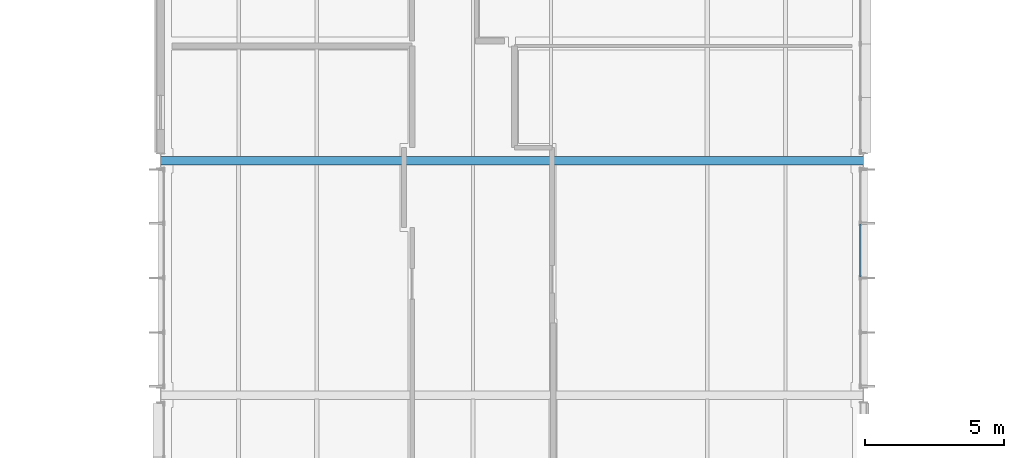
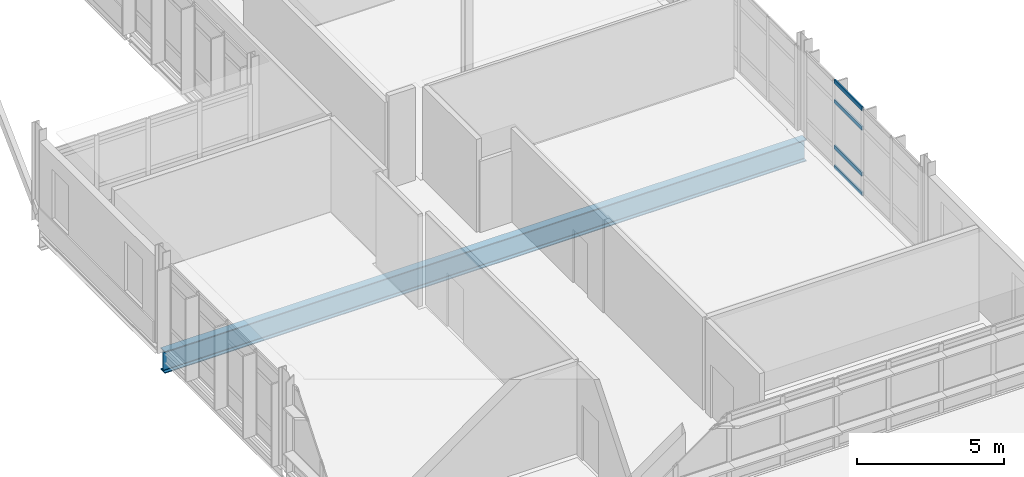
# One storey, part 37 of 103: 4 members, 1 beam, 1 element without a shape of its own.
"""IFC4 building model written with IfcOpenShell, lengths in metres."""

from ifc_helpers import new_model, si_unit, direction, frame, origin, origin_2d, place, context, subcontext, project, spatial, hollow_rectangle, i_section, extrude, material, material_profile, profile_set, type_object, element, aggregate, save


model = new_model("IFC4")

# Units and contexts
model_context = context("Model", 3, precision=1e-05, world=origin(), true_north=direction((0.0, 1.0)))
body_context = subcontext(model_context, "Body", "Model", "MODEL_VIEW")
ifc_project = project(units=[si_unit("LENGTHUNIT", "METRE"), si_unit("AREAUNIT", "SQUARE_METRE"), si_unit("VOLUMEUNIT", "CUBIC_METRE"), si_unit("PLANEANGLEUNIT", "RADIAN"), si_unit("MASSUNIT", "GRAM", prefix="KILO")], contexts=[model_context])

# Site, building, storey
site_placement = place(None, origin())
site = spatial("IfcSite", under=ifc_project, at=site_placement, CompositionType="ELEMENT")
building_placement = place(site_placement, origin())
building = spatial("IfcBuilding", under=site, at=building_placement, Name="Mersafa Astral City Hall", CompositionType="ELEMENT")
storey_placement = place(building_placement, frame((0.0, 0.0, 18.0)))
storey = spatial("IfcBuildingStorey", under=building, at=storey_placement, Name="L04", CompositionType="ELEMENT", Elevation=18.0)

# Curtain wall, members
ifc_material_1 = material(Name="Anodised bronze aluminium framing", Category="aluminium")
curtain_wall_type = type_object("IfcCurtainWallType", Name="ENV-CW-5", PredefinedType="USERDEFINED", material=ifc_material_1)
curtain_wall_placement = place(storey_placement, origin())
curtain_wall = element("IfcCurtainWall", 1, at=curtain_wall_placement, inside=storey, type_object=curtain_wall_type, Name="L04 Unitised solar curtain wall 214", ObjectType="UNITISED CURTAIN WALL", PredefinedType="USERDEFINED")
ifc_material_profile_1 = material_profile(ifc_material_1, hollow_rectangle(XDim=0.06005859375, YDim=0.159912109375, WallThickness=0.00390625, at=origin_2d()), Name="RHS 60x160x4")
ifc_profile_set_1 = profile_set([ifc_material_profile_1], Name="Anodised bronze aluminium framing")
member_type = type_object("IfcMemberType", Name="ENV-CW-TRN-2", PredefinedType="USERDEFINED", material=ifc_profile_set_1)
member_1_placement = place(storey_placement, frame((117.47998046875, 79.830078125, 0.028076171875), z_axis=(0.0, 1.0, 0.0), x_axis=(-1.0, 0.0, 0.0)))
member_1 = element("IfcMember", 2, at=member_1_placement, type_object=member_type, Name="CW-5 transom 3.1", ObjectType="TRANSOM", PredefinedType="USERDEFINED", context=body_context, shape_type="SweptSolid", body=[
    extrude(hollow_rectangle(XDim=0.06005859375, YDim=0.159912109375, WallThickness=0.00390625, at=origin_2d()), origin(), (0.0, 0.0, 1.0), 1.896484375),
])
member_2_placement = place(storey_placement, frame((117.47998046875, 79.830078125, 0.85009765625), z_axis=(0.0, 1.0, 0.0), x_axis=(-1.0, 0.0, 0.0)))
member_2 = element("IfcMember", 3, at=member_2_placement, type_object=member_type, Name="CW-5 transom 3.2", ObjectType="TRANSOM", PredefinedType="USERDEFINED", context=body_context, shape_type="SweptSolid", body=[
    extrude(hollow_rectangle(XDim=0.06005859375, YDim=0.159912109375, WallThickness=0.00390625, at=origin_2d()), origin(), (0.0, 0.0, 1.0), 1.896484375),
])
member_3_placement = place(storey_placement, frame((117.47998046875, 79.830078125, 2.75), z_axis=(0.0, 1.0, 0.0), x_axis=(-1.0, 0.0, 0.0)))
member_3 = element("IfcMember", 4, at=member_3_placement, type_object=member_type, Name="CW-5 transom 3.3", ObjectType="TRANSOM", PredefinedType="USERDEFINED", context=body_context, shape_type="SweptSolid", body=[
    extrude(hollow_rectangle(XDim=0.06005859375, YDim=0.159912109375, WallThickness=0.00390625, at=origin_2d()), origin(), (0.0, 0.0, 1.0), 1.896484375),
])
member_4_placement = place(storey_placement, frame((117.47998046875, 79.830078125, 3.56689453125), z_axis=(0.0, 1.0, 0.0), x_axis=(-1.0, 0.0, 0.0)))
member_4 = element("IfcMember", 5, at=member_4_placement, type_object=member_type, Name="CW-5 transom 3.4", ObjectType="TRANSOM", PredefinedType="USERDEFINED", context=body_context, shape_type="SweptSolid", body=[
    extrude(hollow_rectangle(XDim=0.06005859375, YDim=0.159912109375, WallThickness=0.00390625, at=origin_2d()), origin(), (0.0, 0.0, 1.0), 1.896484375),
])
aggregate(curtain_wall, [member_1, member_2, member_3, member_4])

# Beam
ifc_material_2 = material(Name="Steel S355", Category="steel")
ifc_material_profile_2 = material_profile(ifc_material_2, i_section(OverallWidth=0.300048828125, OverallDepth=0.89990234375, WebThickness=0.0185546875, FlangeThickness=0.034912109375, FilletRadius=0.030029296875, at=origin_2d()), Name="HEB 900")
ifc_profile_set_2 = profile_set([ifc_material_profile_2], Name="Steel S355")
beam_type = type_object("IfcBeamType", Name="STR-BM-HEB900", PredefinedType="BEAM", material=ifc_profile_set_2)
beam_placement = place(storey_placement, frame((92.403076171875, 84.0, -0.635009765625), z_axis=(1.0, 0.0, 0.0), x_axis=(0.0, 1.0, 0.0)))
element("IfcBeam", 6, at=beam_placement, inside=storey, type_object=beam_type, Name="L04 Public Service Hall clear-span portal girder 10", PredefinedType="BEAM", context=body_context, shape_type="SweptSolid", body=[
    extrude(i_section(OverallWidth=0.300048828125, OverallDepth=0.89990234375, WebThickness=0.0185546875, FlangeThickness=0.034912109375, FilletRadius=0.030029296875, at=origin_2d()), origin(), (0.0, 0.0, 1.0), 25.19384765625),
])

save(model, "model.ifc")
